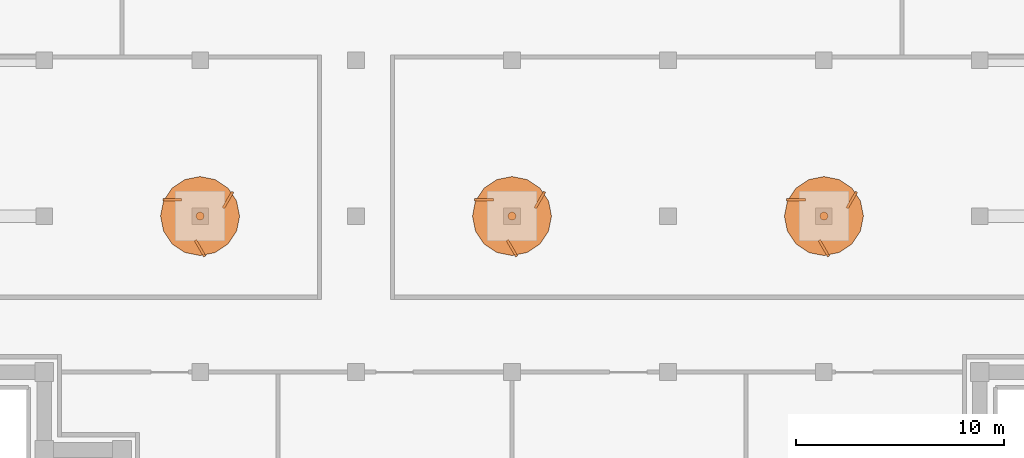
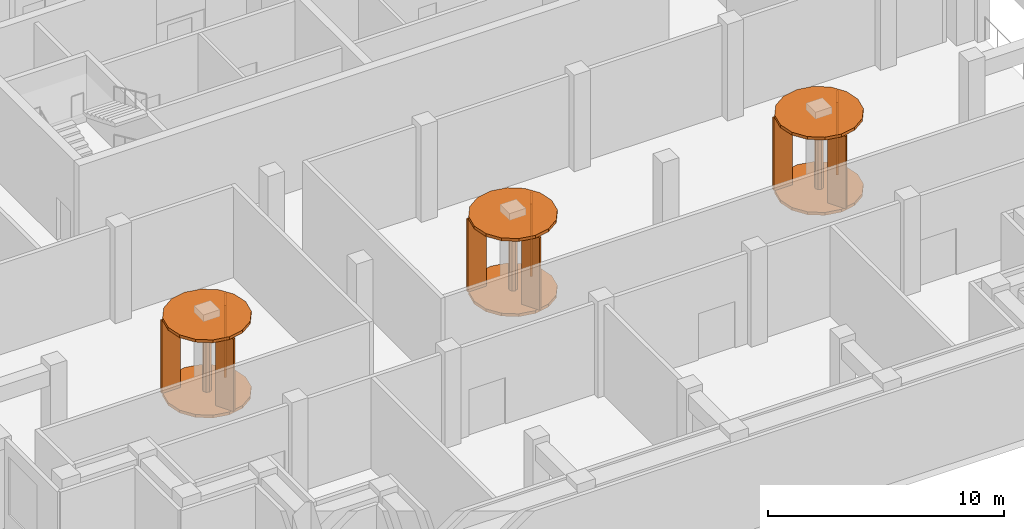
# One storey, part 8 of 8: 18 proxies.
"""IFC4 building model written with IfcOpenShell, lengths in metres."""

from ifc_helpers import new_model, si_unit, direction, frame, origin, origin_2d, place, context, subcontext, project, spatial, polyline, rectangle, outline, extrude, material, material_profile, profile_set, type_object, element, save


model = new_model("IFC4")

# Units and contexts
model_context = context("Model", 3, precision=1e-05, world=origin(), true_north=direction((0.0, 1.0)))
body_context = subcontext(model_context, "Body", "Model", "MODEL_VIEW")
ifc_project = project(units=[si_unit("LENGTHUNIT", "METRE"), si_unit("AREAUNIT", "SQUARE_METRE"), si_unit("VOLUMEUNIT", "CUBIC_METRE"), si_unit("PLANEANGLEUNIT", "RADIAN"), si_unit("MASSUNIT", "GRAM", prefix="KILO")], contexts=[model_context])

# Site, building, storey
site_placement = place(None, origin())
site = spatial("IfcSite", under=ifc_project, at=site_placement, CompositionType="ELEMENT")
building_placement = place(site_placement, origin())
building = spatial("IfcBuilding", under=site, at=building_placement, Name="Pilkhan Gate Tower", CompositionType="ELEMENT")
storey_placement = place(building_placement, frame((0.0, 0.0, 253.5)))
storey = spatial("IfcBuildingStorey", under=building, at=storey_placement, Name="L66", CompositionType="ELEMENT", Elevation=253.5)

# Proxies
ifc_material_1 = material(Name="Pale anodised aluminium", Category="aluminium")
ifc_material_profile_1 = material_profile(ifc_material_1, rectangle(XDim=0.89990234375, YDim=0.1201171875, at=origin_2d()), Name="Blade 900x120")
ifc_profile_set_1 = profile_set([ifc_material_profile_1], Name="Pale anodised aluminium")
building_element_proxy_type_1 = type_object("IfcBuildingElementProxyType", Name="Turbine rotor blade WT-B", PredefinedType="USERDEFINED", material=ifc_profile_set_1)
for number, where, z_axis, x_axis, name in (
    (1, (61.34228515625, 60.77490234375, 0.75), (0.0, 0.0, 1.0), (0.5, 0.866025403784, 0.0), "Wind turbine slot turbine 1"),
    (2, (58.65771484375, 60.77490234375, 0.75), (0.0, 0.0, 1.0), (-1.0, 0.0, 0.0), "Wind turbine slot turbine 1"),
    (3, (60.0, 58.449951171875, 0.75), (0.0, 0.0, 1.0), (0.5, -0.866025403784, 0.0), "Wind turbine slot turbine 1"),
    (4, (76.34228515625, 60.77490234375, 0.75), (0.0, 0.0, 1.0), (0.5, 0.866025403784, 0.0), "Wind turbine slot turbine 2"),
    (5, (73.65771484375, 60.77490234375, 0.75), (0.0, 0.0, 1.0), (-1.0, 0.0, 0.0), "Wind turbine slot turbine 2"),
    (6, (75.0, 58.449951171875, 0.75), (0.0, 0.0, 1.0), (0.5, -0.866025403784, 0.0), "Wind turbine slot turbine 2"),
    (7, (91.34228515625, 60.77490234375, 0.75), (0.0, 0.0, 1.0), (0.5, 0.866025403784, 0.0), "Wind turbine slot turbine 3"),
    (8, (88.65771484375, 60.77490234375, 0.75), (0.0, 0.0, 1.0), (-1.0, 0.0, 0.0), "Wind turbine slot turbine 3"),
    (9, (90.0, 58.449951171875, 0.75), (0.0, 0.0, 1.0), (0.5, -0.866025403784, 0.0), "Wind turbine slot turbine 3"),
):
    element("IfcBuildingElementProxy", number, at=place(storey_placement, frame(where, z_axis=z_axis, x_axis=x_axis)), inside=storey, type_object=building_element_proxy_type_1, Name=name, ObjectType="WIND TURBINE", PredefinedType="USERDEFINED", context=body_context, shape_type="SweptSolid", body=[
        extrude(rectangle(XDim=0.89990234375, YDim=0.1201171875, at=origin_2d()), origin(), (0.0, 0.0, 1.0), 3.75),
    ])
ifc_material_profile_2 = material_profile(ifc_material_1, outline(polyline([(1.89990234375, 0.0), (1.75537109375, 0.72705078125), (1.343505859375, 1.343505859375), (0.72705078125, 1.75537109375), (0.0, 1.89990234375), (-0.72705078125, 1.75537109375), (-1.343505859375, 1.343505859375), (-1.75537109375, 0.72705078125), (-1.89990234375, 0.0), (-1.75537109375, -0.72705078125), (-1.343505859375, -1.343505859375), (-0.72705078125, -1.75537109375), (0.0, -1.89990234375), (0.72705078125, -1.75537109375), (1.343505859375, -1.343505859375), (1.75537109375, -0.72705078125), (1.89990234375, 0.0)])), Name="Rotor disc D3.8")
ifc_profile_set_2 = profile_set([ifc_material_profile_2], Name="Pale anodised aluminium")
building_element_proxy_type_2 = type_object("IfcBuildingElementProxyType", Name="Turbine rotor disc WT-D", PredefinedType="USERDEFINED", material=ifc_profile_set_2)
for number, where, z_axis, x_axis, name in (
    (10, (60.0, 60.0, 0.60009765625), (0.0, 0.0, 1.0), (1.0, 0.0, 0.0), "Wind turbine slot turbine 1"),
    (11, (60.0, 60.0, 4.5), (0.0, 0.0, 1.0), (1.0, 0.0, 0.0), "Wind turbine slot turbine 1"),
    (12, (75.0, 60.0, 0.60009765625), (0.0, 0.0, 1.0), (1.0, 0.0, 0.0), "Wind turbine slot turbine 2"),
    (13, (75.0, 60.0, 4.5), (0.0, 0.0, 1.0), (1.0, 0.0, 0.0), "Wind turbine slot turbine 2"),
    (14, (90.0, 60.0, 0.60009765625), (0.0, 0.0, 1.0), (1.0, 0.0, 0.0), "Wind turbine slot turbine 3"),
    (15, (90.0, 60.0, 4.5), (0.0, 0.0, 1.0), (1.0, 0.0, 0.0), "Wind turbine slot turbine 3"),
):
    element("IfcBuildingElementProxy", number, at=place(storey_placement, frame(where, z_axis=z_axis, x_axis=x_axis)), inside=storey, type_object=building_element_proxy_type_2, Name=name, ObjectType="WIND TURBINE", PredefinedType="USERDEFINED", context=body_context, shape_type="SweptSolid", body=[
        extrude(outline(polyline([(1.89990234375, 0.0), (1.75537109375, 0.72705078125), (1.343505859375, 1.343505859375), (0.72705078125, 1.75537109375), (0.0, 1.89990234375), (-0.72705078125, 1.75537109375), (-1.343505859375, 1.343505859375), (-1.75537109375, 0.72705078125), (-1.89990234375, 0.0), (-1.75537109375, -0.72705078125), (-1.343505859375, -1.343505859375), (-0.72705078125, -1.75537109375), (0.0, -1.89990234375), (0.72705078125, -1.75537109375), (1.343505859375, -1.343505859375), (1.75537109375, -0.72705078125), (1.89990234375, 0.0)])), origin(), (0.0, 0.0, 1.0), 0.14990234375),
    ])
ifc_material_2 = material(Name="Stainless steel", Category="steel")
ifc_material_profile_3 = material_profile(ifc_material_2, outline(polyline([(0.199951171875, 0.0), (0.141357421875, 0.141357421875), (0.0, 0.199951171875), (-0.141357421875, 0.141357421875), (-0.199951171875, 0.0), (-0.141357421875, -0.141357421875), (0.0, -0.199951171875), (0.141357421875, -0.141357421875), (0.199951171875, 0.0)])), Name="Shaft D0.4")
ifc_profile_set_3 = profile_set([ifc_material_profile_3], Name="Stainless steel")
building_element_proxy_type_3 = type_object("IfcBuildingElementProxyType", Name="Turbine rotor shaft WT-S", PredefinedType="USERDEFINED", material=ifc_profile_set_3)
for number, where, z_axis, x_axis, name in (
    (16, (60.0, 60.0, 0.75), (0.0, 0.0, 1.0), (1.0, 0.0, 0.0), "Wind turbine slot turbine 1"),
    (17, (75.0, 60.0, 0.75), (0.0, 0.0, 1.0), (1.0, 0.0, 0.0), "Wind turbine slot turbine 2"),
    (18, (90.0, 60.0, 0.75), (0.0, 0.0, 1.0), (1.0, 0.0, 0.0), "Wind turbine slot turbine 3"),
):
    element("IfcBuildingElementProxy", number, at=place(storey_placement, frame(where, z_axis=z_axis, x_axis=x_axis)), inside=storey, type_object=building_element_proxy_type_3, Name=name, ObjectType="WIND TURBINE", PredefinedType="USERDEFINED", context=body_context, shape_type="SweptSolid", body=[
        extrude(outline(polyline([(0.199951171875, 0.0), (0.141357421875, 0.141357421875), (0.0, 0.199951171875), (-0.141357421875, 0.141357421875), (-0.199951171875, 0.0), (-0.141357421875, -0.141357421875), (0.0, -0.199951171875), (0.141357421875, -0.141357421875), (0.199951171875, 0.0)])), origin(), (0.0, 0.0, 1.0), 3.75),
    ])

save(model, "model.ifc")
